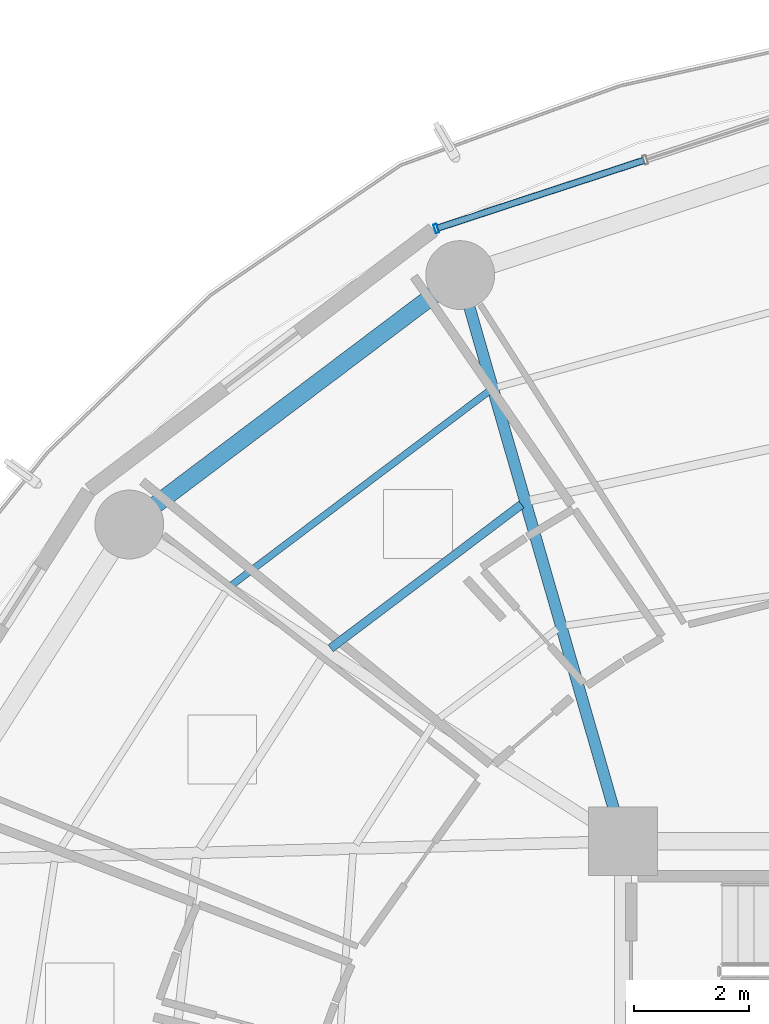
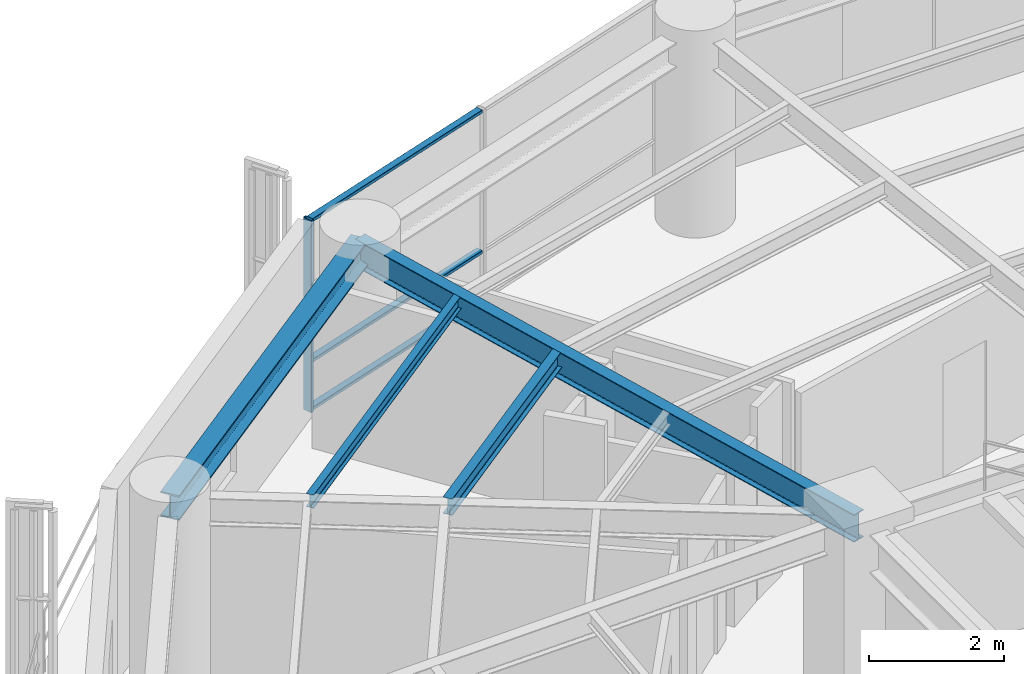
# One storey, part 16 of 28: 4 beams, 4 members, 1 element without a shape of its own.
"""IFC4 building model written with IfcOpenShell, lengths in metres."""

from ifc_helpers import new_model, si_unit, direction, frame, origin, origin_2d, place, context, subcontext, project, spatial, hollow_rectangle, i_section, extrude, material, layer, layer_set, material_profile, profile_set, type_object, element, aggregate, save


model = new_model("IFC4")

# Units and contexts
model_context = context("Model", 3, precision=1e-05, world=origin(), true_north=direction((0.0, 1.0)))
body_context = subcontext(model_context, "Body", "Model", "MODEL_VIEW")
ifc_project = project(units=[si_unit("LENGTHUNIT", "METRE"), si_unit("AREAUNIT", "SQUARE_METRE"), si_unit("VOLUMEUNIT", "CUBIC_METRE"), si_unit("PLANEANGLEUNIT", "RADIAN"), si_unit("MASSUNIT", "GRAM", prefix="KILO")], contexts=[model_context])

# Site, building, storey
site_placement = place(None, origin())
site = spatial("IfcSite", under=ifc_project, at=site_placement, CompositionType="ELEMENT")
building_placement = place(site_placement, origin())
building = spatial("IfcBuilding", under=site, at=building_placement, Name="Kelanora Arch Commons", CompositionType="ELEMENT")
storey_placement = place(building_placement, frame((0.0, 0.0, 158.10009765625)))
storey = spatial("IfcBuildingStorey", under=building, at=storey_placement, Name="L40", CompositionType="ELEMENT", Elevation=158.10009765625)

# Beams
ifc_material_1 = material(Name="Steel S355", Category="steel")
ifc_material_profile_1 = material_profile(ifc_material_1, i_section(OverallWidth=0.14990234375, OverallDepth=0.300048828125, WebThickness=0.007080078125, FlangeThickness=0.0107421875, FilletRadius=0.014892578125, at=origin_2d()), Name="IPE300")
ifc_profile_set_1 = profile_set([ifc_material_profile_1], Name="Steel S355")
beam_type_1 = type_object("IfcBeamType", Name="BM-JST-01", PredefinedType="JOIST", material=ifc_profile_set_1)
beam_1_placement = place(storey_placement, frame((64.22802734375, 70.870849609375, 3.33984375), z_axis=(-0.798463547891, -0.602043156833, 0.0), x_axis=(0.602043156833, -0.798463547891, 0.0)))
element("IfcBeam", 1, at=beam_1_placement, inside=storey, type_object=beam_type_1, Name="Secondary Chord Joist BJB-12 L40", PredefinedType="JOIST", context=body_context, shape_type="SweptSolid", body=[
    extrude(i_section(OverallWidth=0.14990234375, OverallDepth=0.300048828125, WebThickness=0.007080078125, FlangeThickness=0.0107421875, FilletRadius=0.014892578125, at=origin_2d()), origin(), (0.0, 0.0, 1.0), 4.163818359375),
])
ifc_material_profile_2 = material_profile(ifc_material_1, i_section(OverallWidth=0.1201171875, OverallDepth=0.239990234375, WebThickness=0.006103515625, FlangeThickness=0.009765625, FilletRadius=0.014892578125, at=origin_2d()), Name="IPE240")
ifc_profile_set_2 = profile_set([ifc_material_profile_2], Name="Steel S355")
beam_type_2 = type_object("IfcBeamType", Name="BM-JST-02", PredefinedType="JOIST", material=ifc_profile_set_2)
beam_2_placement = place(storey_placement, frame((63.66015625, 72.844970703125, 3.369873046875), z_axis=(-0.798493128577, -0.602003923256, 0.0), x_axis=(0.602003923256, -0.798493128577, 0.0)))
element("IfcBeam", 2, at=beam_2_placement, inside=storey, type_object=beam_type_2, Name="Secondary Chord Joist BJC-12 L40", PredefinedType="JOIST", context=body_context, shape_type="SweptSolid", body=[
    extrude(i_section(OverallWidth=0.1201171875, OverallDepth=0.239990234375, WebThickness=0.006103515625, FlangeThickness=0.009765625, FilletRadius=0.014892578125, at=origin_2d()), origin(), (0.0, 0.0, 1.0), 5.608642578125),
])
ifc_material_profile_3 = material_profile(ifc_material_1, i_section(OverallWidth=0.199951171875, OverallDepth=0.5, WebThickness=0.01025390625, FlangeThickness=0.01611328125, FilletRadius=0.02099609375, at=origin_2d()), Name="IPE500")
ifc_profile_set_3 = profile_set([ifc_material_profile_3], Name="Steel S355")
beam_type_3 = type_object("IfcBeamType", Name="BM-RAD-Z3", PredefinedType="BEAM", material=ifc_profile_set_3)
beam_3_placement = place(storey_placement, frame((66.0, 65.0, 3.239990234375), z_axis=(-0.276525880065, 0.961006471182, 0.0), x_axis=(-0.961006471182, -0.276525880065, 0.0)))
element("IfcBeam", 3, at=beam_3_placement, inside=storey, type_object=beam_type_3, Name="Radial Floor Girder BR-12 L40", PredefinedType="BEAM", context=body_context, shape_type="SweptSolid", body=[
    extrude(i_section(OverallWidth=0.199951171875, OverallDepth=0.5, WebThickness=0.01025390625, FlangeThickness=0.01611328125, FilletRadius=0.02099609375, at=origin_2d()), origin(), (0.0, 0.0, 1.0), 10.2705078125),
])
ifc_material_profile_4 = material_profile(ifc_material_1, i_section(OverallWidth=0.300048828125, OverallDepth=0.449951171875, WebThickness=0.013916015625, FlangeThickness=0.02587890625, FilletRadius=0.027099609375, at=origin_2d()), Name="HEB450")
ifc_profile_set_4 = profile_set([ifc_material_profile_4], Name="Steel S355")
beam_type_4 = type_object("IfcBeamType", Name="BM-SPN-Z3", PredefinedType="SPANDREL", material=ifc_profile_set_4)
beam_4_placement = place(storey_placement, frame((63.159912109375, 74.8701171875, 3.264892578125), z_axis=(-0.798484645564, -0.60201517489, 0.0), x_axis=(0.60201517489, -0.798484645564, 0.0)))
element("IfcBeam", 4, at=beam_4_placement, inside=storey, type_object=beam_type_4, Name="Perimeter Spandrel Beam BS-12 L40", PredefinedType="SPANDREL", context=body_context, shape_type="SweptSolid", body=[
    extrude(i_section(OverallWidth=0.300048828125, OverallDepth=0.449951171875, WebThickness=0.013916015625, FlangeThickness=0.02587890625, FilletRadius=0.027099609375, at=origin_2d()), origin(), (0.0, 0.0, 1.0), 7.223388671875),
])

# Curtain wall, members
ifc_material_2 = material(Name="Terracotta ceramic-fritted low-E glass and aluminium", Category="masonry")
ifc_layer = layer(ifc_material_2, 0.175048828125)
ifc_layer_set = layer_set([ifc_layer], Name="Terracotta ceramic-fritted low-E glass and aluminium")
curtain_wall_type = type_object("IfcCurtainWallType", Name="CW-SYS-02", PredefinedType="NOTDEFINED", material=ifc_layer_set)
curtain_wall_placement = place(storey_placement, origin())
curtain_wall = element("IfcCurtainWall", 5, at=curtain_wall_placement, inside=storey, type_object=curtain_wall_type, Name="Unitised Curtain Wall L40-B05", PredefinedType="NOTDEFINED")
ifc_material_3 = material(Name="Powder-coated aluminium terracotta", Category="masonry")
ifc_material_profile_5 = material_profile(ifc_material_3, hollow_rectangle(XDim=0.159912109375, YDim=0.06005859375, WallThickness=0.0048828125, InnerFilletRadius=0.0048828125, OuterFilletRadius=0.010009765625, at=origin_2d()), Name="CWM160x60")
ifc_profile_set_5 = profile_set([ifc_material_profile_5], Name="Powder-coated aluminium terracotta")
member_type_1 = type_object("IfcMemberType", Name="CWM-STD", PredefinedType="MULLION", material=ifc_profile_set_5)
member_1_placement = place(storey_placement, frame((62.742919921875, 75.680908203125, 0.0), z_axis=(0.0, 0.0, 1.0), x_axis=(0.312128279571, -0.95003996605, 0.0)))
member_1 = element("IfcMember", 6, at=member_1_placement, type_object=member_type_1, Name="CW-02 mullion 3", PredefinedType="MULLION", context=body_context, shape_type="SweptSolid", body=[
    extrude(hollow_rectangle(XDim=0.159912109375, YDim=0.06005859375, WallThickness=0.0048828125, InnerFilletRadius=0.0048828125, OuterFilletRadius=0.010009765625, at=origin_2d()), origin(), (0.0, 0.0, 1.0), 3.474853515625),
])
ifc_material_profile_6 = material_profile(ifc_material_3, hollow_rectangle(XDim=0.1201171875, YDim=0.06005859375, WallThickness=0.0048828125, InnerFilletRadius=0.0048828125, OuterFilletRadius=0.010009765625, at=origin_2d()), Name="CWT120x60")
ifc_profile_set_6 = profile_set([ifc_material_profile_6], Name="Powder-coated aluminium terracotta")
member_type_2 = type_object("IfcMemberType", Name="CWT-STD", PredefinedType="USERDEFINED", material=ifc_profile_set_6)
member_2_placement = place(storey_placement, frame((66.359375, 76.869140625, 0.02978515625), z_axis=(-0.950051191155, -0.312094111104, 0.0), x_axis=(0.312094111104, -0.950051191155, 0.0)))
member_2 = element("IfcMember", 7, at=member_2_placement, type_object=member_type_2, Name="CW-02 transom 2.1", ObjectType="TRANSOM", PredefinedType="USERDEFINED", context=body_context, shape_type="SweptSolid", body=[
    extrude(hollow_rectangle(XDim=0.1201171875, YDim=0.06005859375, WallThickness=0.0048828125, InnerFilletRadius=0.0048828125, OuterFilletRadius=0.010009765625, at=origin_2d()), origin(), (0.0, 0.0, 1.0), 3.77685546875),
])
member_3_placement = place(storey_placement, frame((66.359375, 76.869140625, 0.89990234375), z_axis=(-0.950051191155, -0.312094111104, 0.0), x_axis=(0.312094111104, -0.950051191155, 0.0)))
member_3 = element("IfcMember", 8, at=member_3_placement, type_object=member_type_2, Name="CW-02 transom 2.2", ObjectType="TRANSOM", PredefinedType="USERDEFINED", context=body_context, shape_type="SweptSolid", body=[
    extrude(hollow_rectangle(XDim=0.1201171875, YDim=0.06005859375, WallThickness=0.0048828125, InnerFilletRadius=0.0048828125, OuterFilletRadius=0.010009765625, at=origin_2d()), origin(), (0.0, 0.0, 1.0), 3.77685546875),
])
member_4_placement = place(storey_placement, frame((66.359375, 76.869140625, 3.44482421875), z_axis=(-0.950051191155, -0.312094111104, 0.0), x_axis=(0.312094111104, -0.950051191155, 0.0)))
member_4 = element("IfcMember", 9, at=member_4_placement, type_object=member_type_2, Name="CW-02 transom 2.3", ObjectType="TRANSOM", PredefinedType="USERDEFINED", context=body_context, shape_type="SweptSolid", body=[
    extrude(hollow_rectangle(XDim=0.1201171875, YDim=0.06005859375, WallThickness=0.0048828125, InnerFilletRadius=0.0048828125, OuterFilletRadius=0.010009765625, at=origin_2d()), origin(), (0.0, 0.0, 1.0), 3.77685546875),
])
aggregate(curtain_wall, [member_1, member_2, member_3, member_4])

save(model, "model.ifc")
